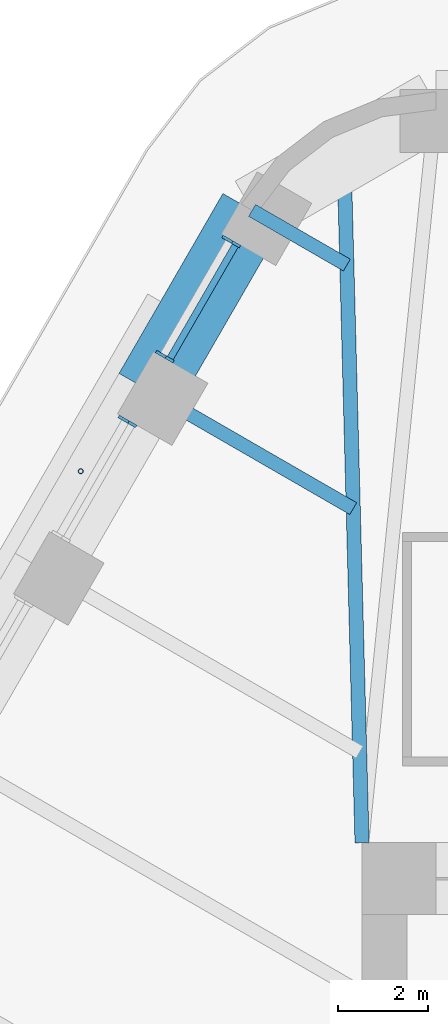
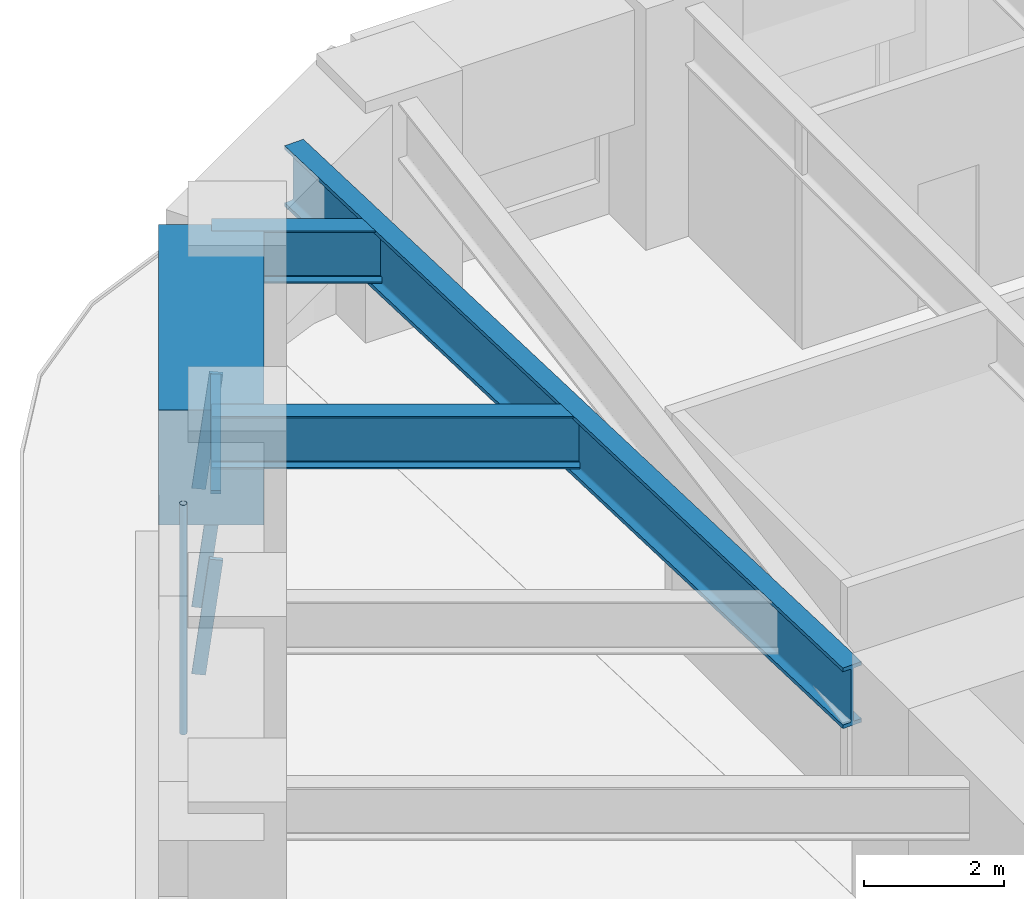
# One storey, part 8 of 20: 5 members, 4 beams, 2 elements without a shape of their own.
"""IFC4 building model written with IfcOpenShell, lengths in metres."""

from ifc_helpers import new_model, si_unit, direction, frame, origin, origin_2d, place, context, subcontext, project, spatial, rectangle, hollow_circle, i_section, extrude, material, material_profile, profile_set, type_object, element, aggregate, save


model = new_model("IFC4")

# Units and contexts
model_context = context("Model", 3, precision=1e-05, world=origin(), true_north=direction((0.0, 1.0)))
body_context = subcontext(model_context, "Body", "Model", "MODEL_VIEW")
ifc_project = project(units=[si_unit("LENGTHUNIT", "METRE"), si_unit("AREAUNIT", "SQUARE_METRE"), si_unit("VOLUMEUNIT", "CUBIC_METRE"), si_unit("PLANEANGLEUNIT", "RADIAN"), si_unit("MASSUNIT", "GRAM", prefix="KILO")], contexts=[model_context])

# Site, building, storey
site_placement = place(None, origin())
site = spatial("IfcSite", under=ifc_project, at=site_placement, CompositionType="ELEMENT")
building_placement = place(site_placement, origin())
building = spatial("IfcBuilding", under=site, at=building_placement, Name="Tarfa Lantern Tower", CompositionType="ELEMENT")
storey_placement = place(building_placement, frame((0.0, 0.0, 219.699951171875)))
storey = spatial("IfcBuildingStorey", under=building, at=storey_placement, Name="L49", CompositionType="ELEMENT", Elevation=219.699951171875)

# Curtain wall, members
ifc_material_1 = material(Name="Aluminium framed curtain wall", Category="aluminium")
curtain_wall_type = type_object("IfcCurtainWallType", Name="CW3 CANTED GLAZING HIGH ZONE 2000", PredefinedType="USERDEFINED", material=ifc_material_1)
curtain_wall_1_placement = place(storey_placement, origin())
curtain_wall_1 = element("IfcCurtainWall", 1, at=curtain_wall_1_placement, inside=storey, type_object=curtain_wall_type, Name="CW3 NW L49", ObjectType="CURTAIN WALL", PredefinedType="USERDEFINED")
ifc_material_2 = material(Name="Aluminium mullion", Category="aluminium")
ifc_material_profile_1 = material_profile(ifc_material_2, rectangle(XDim=0.06494140625, YDim=0.199951171875, at=origin_2d()), Name="AL MULLION 65x200")
ifc_profile_set_1 = profile_set([ifc_material_profile_1], Name="Aluminium mullion")
member_type_1 = type_object("IfcMemberType", Name="CWM1 MULLION 65x200", PredefinedType="MULLION", material=ifc_profile_set_1)
member_1_placement = place(storey_placement, frame((-18.51611328125, 25.72900390625, 0.0), z_axis=(0.107439978116, -0.062017213975, 0.992275423596), x_axis=(0.499919672301, 0.866071776036, 0.0)))
member_1 = element("IfcMember", 2, at=member_1_placement, type_object=member_type_1, Name="CW3 mullion 1", PredefinedType="MULLION", context=body_context, shape_type="SweptSolid", body=[
    extrude(rectangle(XDim=0.06494140625, YDim=0.199951171875, at=origin_2d()), origin(), (0.0, 0.0, 1.0), 2.015625),
])
member_2_placement = place(storey_placement, frame((-19.9931640625, 23.1708984375, 0.0), z_axis=(0.107439978116, -0.062017213975, 0.992275423596), x_axis=(0.499919672301, 0.866071776036, 0.0)))
member_2 = element("IfcMember", 3, at=member_2_placement, type_object=member_type_1, Name="CW3 mullion 2", PredefinedType="MULLION", context=body_context, shape_type="SweptSolid", body=[
    extrude(rectangle(XDim=0.06494140625, YDim=0.199951171875, at=origin_2d()), origin(), (0.0, 0.0, 1.0), 2.015625),
])

# Curtain wall, member
curtain_wall_2_placement = place(storey_placement, origin())
curtain_wall_2 = element("IfcCurtainWall", 4, at=curtain_wall_2_placement, inside=storey, type_object=curtain_wall_type, Name="CW3 NW L49", ObjectType="CURTAIN WALL", PredefinedType="USERDEFINED")
member_3_placement = place(storey_placement, frame((-20.82568359375, 21.72900390625, 0.0), z_axis=(0.107439978116, -0.062017213975, 0.992275423596), x_axis=(0.499919672301, 0.866071776036, 0.0)))
member_3 = element("IfcMember", 5, at=member_3_placement, type_object=member_type_1, Name="CW3 mullion 1", PredefinedType="MULLION", context=body_context, shape_type="SweptSolid", body=[
    extrude(rectangle(XDim=0.06494140625, YDim=0.199951171875, at=origin_2d()), origin(), (0.0, 0.0, 1.0), 2.015625),
])
aggregate(curtain_wall_2, [member_3])

# Member
ifc_material_3 = material(Name="Aluminium transom", Category="aluminium")
ifc_material_profile_2 = material_profile(ifc_material_3, rectangle(XDim=0.14990234375, YDim=0.06494140625, at=origin_2d()), Name="AL TRANSOM 150x65")
ifc_profile_set_2 = profile_set([ifc_material_profile_2], Name="Aluminium transom")
member_type_2 = type_object("IfcMemberType", Name="CWT1 TRANSOM 150x65", PredefinedType="USERDEFINED", material=ifc_profile_set_2)
member_4_placement = place(storey_placement, frame((-18.3193359375, 25.577880859375, 1.967529296875), z_axis=(-0.500056524144, -0.865992767095, 0.0), x_axis=(0.865992767095, -0.500056524144, 0.0)))
member_4 = element("IfcMember", 6, at=member_4_placement, type_object=member_type_2, Name="CW3 transom 1.2", ObjectType="TRANSOM", PredefinedType="USERDEFINED", context=body_context, shape_type="SweptSolid", body=[
    extrude(rectangle(XDim=0.14990234375, YDim=0.06494140625, at=origin_2d()), origin(), (0.0, 0.0, 1.0), 2.888916015625),
])

aggregate(curtain_wall_1, [member_1, member_2, member_4])

# Beam
ifc_material_4 = material(Name="Concrete C80/95", Category="concrete")
ifc_material_profile_3 = material_profile(ifc_material_4, rectangle(XDim=1.5, YDim=2.0, at=origin_2d()), Name="RC 1500x2000")
ifc_profile_set_3 = profile_set([ifc_material_profile_3], Name="Concrete C80/95")
beam_type_1 = type_object("IfcBeamType", Name="RB3 RC 1500x2000", PredefinedType="BEAM", material=ifc_profile_set_3)
beam_1_placement = place(storey_placement, frame((-17.944091796875, 26.360107421875, 3.0), z_axis=(-0.499987836815, -0.866032426089, 0.0), x_axis=(0.866032426089, -0.499987836815, 0.0)))
element("IfcBeam", 7, at=beam_1_placement, inside=storey, type_object=beam_type_1, Name="Edge beam NW0", PredefinedType="BEAM", context=body_context, shape_type="SweptSolid", body=[
    extrude(rectangle(XDim=1.5, YDim=2.0, at=origin_2d()), origin(), (0.0, 0.0, 1.0), 4.61865234375),
])

# Member
ifc_material_5 = material(Name="Steel S355", Category="steel")
ifc_material_profile_4 = material_profile(ifc_material_5, hollow_circle(Radius=0.05712890625, WallThickness=0.00634765625, at=origin_2d()), Name="CHS114.3x6.3")
ifc_profile_set_4 = profile_set([ifc_material_profile_4], Name="Steel S355")
member_type_3 = type_object("IfcMemberType", Name="TR1 GREEN WALL TRELLIS CHS114.3x6.3", PredefinedType="USERDEFINED", material=ifc_profile_set_4)
member_5_placement = place(storey_placement, frame((-21.754638671875, 20.56005859375, 0.0), z_axis=(0.0, 0.0, 1.0), x_axis=(1.0, 0.0, 0.0)))
element("IfcMember", 8, at=member_5_placement, inside=storey, type_object=member_type_3, Name="Trellis post NW 1", ObjectType="TRELLIS", PredefinedType="USERDEFINED", context=body_context, shape_type="SweptSolid", body=[
    extrude(hollow_circle(Radius=0.05712890625, WallThickness=0.00634765625, at=origin_2d()), origin(), (0.0, 0.0, 1.0), 4.0),
])

# Beams
ifc_material_6 = material(Name="Steel S460M", Category="steel")
ifc_material_profile_5 = material_profile(ifc_material_6, i_section(OverallWidth=0.314208984375, OverallDepth=1.055908203125, WebThickness=0.035888671875, FlangeThickness=0.06396484375, FilletRadius=0.030029296875, at=origin_2d()), Name="UB1016x305x584")
ifc_profile_set_5 = profile_set([ifc_material_profile_5], Name="Steel S460M")
beam_type_2 = type_object("IfcBeamType", Name="UB1016x305x584", PredefinedType="BEAM", material=ifc_profile_set_5)
beam_2_placement = place(storey_placement, frame((-15.5, 12.300048828125, 3.47216796875), z_axis=(-0.026247301989, 0.999655480222, 0.0), x_axis=(-0.999655480222, -0.026247301989, 0.0)))
element("IfcBeam", 9, at=beam_2_placement, inside=storey, type_object=beam_type_2, Name="Hip girder NW", PredefinedType="BEAM", context=body_context, shape_type="SweptSolid", body=[
    extrude(i_section(OverallWidth=0.314208984375, OverallDepth=1.055908203125, WebThickness=0.035888671875, FlangeThickness=0.06396484375, FilletRadius=0.030029296875, at=origin_2d()), origin(), (0.0, 0.0, 1.0), 15.245361328125),
])
ifc_material_profile_6 = material_profile(ifc_material_6, i_section(OverallWidth=0.305419921875, OverallDepth=0.91845703125, WebThickness=0.017333984375, FlangeThickness=0.02783203125, FilletRadius=0.01904296875, at=origin_2d()), Name="UB914x305x253")
ifc_profile_set_6 = profile_set([ifc_material_profile_6], Name="Steel S460M")
beam_type_3 = type_object("IfcBeamType", Name="UB914x305x253", PredefinedType="BEAM", material=ifc_profile_set_6)
beam_3_placement = place(storey_placement, frame((-17.944091796875, 26.360107421875, 3.540771484375), z_axis=(0.865980009423, -0.5000786171, 0.0), x_axis=(0.5000786171, 0.865980009423, 0.0)))
element("IfcBeam", 10, at=beam_3_placement, inside=storey, type_object=beam_type_3, Name="Floor beam NW0", PredefinedType="BEAM", context=body_context, shape_type="SweptSolid", body=[
    extrude(i_section(OverallWidth=0.305419921875, OverallDepth=0.91845703125, WebThickness=0.017333984375, FlangeThickness=0.02783203125, FilletRadius=0.01904296875, at=origin_2d()), origin(), (0.0, 0.0, 1.0), 2.4326171875),
])
beam_4_placement = place(storey_placement, frame((-20.25341796875, 22.360107421875, 3.540771484375), z_axis=(0.86601951648, -0.500010196972, 0.0), x_axis=(0.500010196972, 0.86601951648, 0.0)))
element("IfcBeam", 11, at=beam_4_placement, inside=storey, type_object=beam_type_3, Name="Floor beam NW1", PredefinedType="BEAM", context=body_context, shape_type="SweptSolid", body=[
    extrude(i_section(OverallWidth=0.305419921875, OverallDepth=0.91845703125, WebThickness=0.017333984375, FlangeThickness=0.02783203125, FilletRadius=0.01904296875, at=origin_2d()), origin(), (0.0, 0.0, 1.0), 5.263671875),
])

save(model, "model.ifc")
